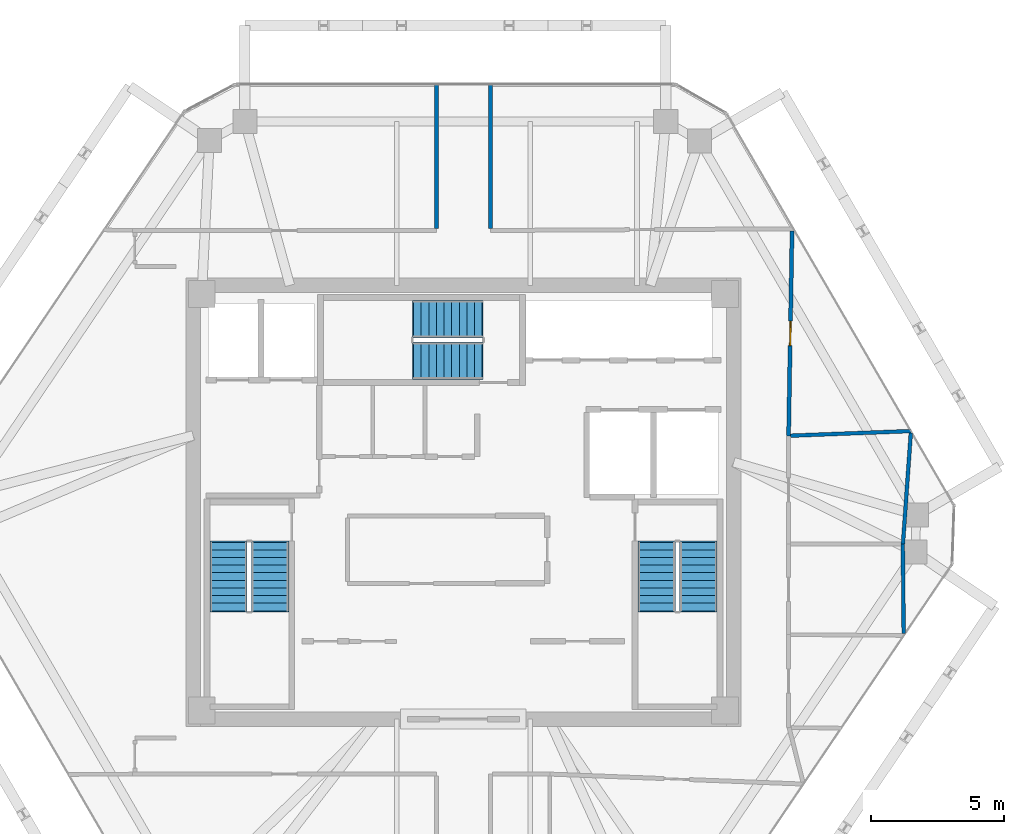
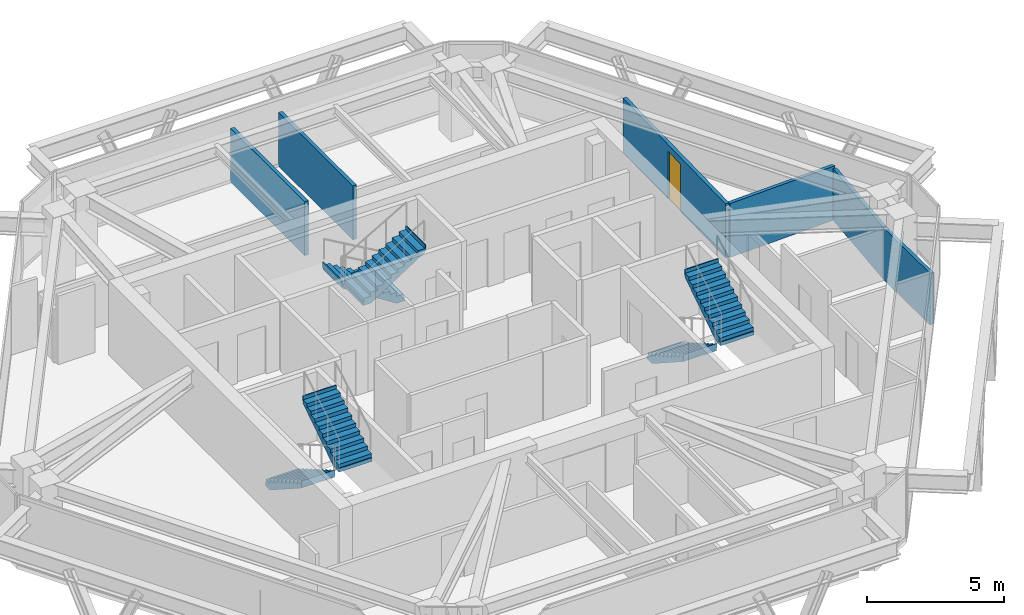
# One storey, part 10 of 11: 6 stair flights, 6 walls, 1 door, 1 opening, 3 elements without a shape of their own.
"""IFC4 building model written with IfcOpenShell, lengths in metres."""

from ifc_helpers import new_model, si_unit, direction, frame, frame_2d, origin, place, context, subcontext, project, spatial, polyline, rectangle, outline, extrude, source, transform, mapped, material, layer, layer_set, type_object, type_shapes, element, fill, aggregate, save


model = new_model("IFC4")

# Units and contexts
model_context = context("Model", 3, precision=1e-05, world=origin(), true_north=direction((0.0, 1.0)))
body_context = subcontext(model_context, "Body", "Model", "MODEL_VIEW")
ifc_project = project(units=[si_unit("LENGTHUNIT", "METRE"), si_unit("AREAUNIT", "SQUARE_METRE"), si_unit("VOLUMEUNIT", "CUBIC_METRE"), si_unit("PLANEANGLEUNIT", "RADIAN"), si_unit("MASSUNIT", "GRAM", prefix="KILO")], contexts=[model_context])

# Site, building, storey
site_placement = place(None, origin())
site = spatial("IfcSite", under=ifc_project, at=site_placement, CompositionType="ELEMENT")
building_placement = place(site_placement, origin())
building = spatial("IfcBuilding", under=site, at=building_placement, Name="Durnholm Broadcast Tower", CompositionType="ELEMENT")
storey_placement = place(building_placement, frame((0.0, 0.0, 218.300048828125)))
storey = spatial("IfcBuildingStorey", under=building, at=storey_placement, Name="L60", CompositionType="ELEMENT", Elevation=218.300048828125)

# Walls
ifc_material_1 = material(Name="Acoustic Gypsum Stud Partition", Category="concrete")
ifc_layer_1 = layer(ifc_material_1, 0.14990234375)
ifc_layer_set_1 = layer_set([ifc_layer_1], Name="Acoustic Gypsum Stud Partition")
wall_type_1 = type_object("IfcWallType", Name="WALL-PART-150", PredefinedType="PARTITIONING", material=ifc_layer_set_1)
for number, where, z_axis, x_axis, name in (
    (1, (-1.010009765625, 15.662109375, 0.0), (0.0, 0.0, 1.0), (0.0, -1.0, 0.0), "L60 Open Plan Broadcast Workspace 2 corridor partition"),
    (2, (1.010009765625, 10.259033203125, 0.0), (0.0, 0.0, 1.0), (0.0, 1.0, 0.0), "L60 Open Plan Broadcast Workspace 3 corridor partition"),
):
    element("IfcWall", number, at=place(storey_placement, frame(where, z_axis=z_axis, x_axis=x_axis)), inside=storey, type_object=wall_type_1, Name=name, PredefinedType="PARTITIONING", context=body_context, shape_type="SweptSolid", body=[
        extrude(rectangle(XDim=5.403076171875, YDim=0.14990234375, at=frame_2d((2.70166015625, 0.0))), origin(), (0.0, 0.0, 1.0), 2.398681640625),
    ])

# Wall, opening, door
wall_1_placement = place(storey_placement, frame((12.181396484375, 2.489990234375, 0.0), z_axis=(0.0, 0.0, 1.0), x_axis=(0.016828134389, 0.999858396921, 0.0)))
wall_1 = element("IfcWall", 3, at=wall_1_placement, inside=storey, type_object=wall_type_1, Name="L60 Open Plan Broadcast Workspace 3 corridor partition", PredefinedType="PARTITIONING", context=body_context, shape_type="SweptSolid", body=[
    extrude(rectangle(XDim=7.674560546875, YDim=0.14990234375, at=frame_2d((3.83740234375, 0.0))), origin(), (0.0, 0.0, 1.0), 2.398681640625),
])
opening_placement = place(wall_1_placement, frame((3.377197265625, 0.0, 0.0)))
opening = element("IfcOpeningElement", 4, at=opening_placement, cuts=wall_1, Name="Opening DR-92L", PredefinedType="OPENING", context=body_context, shape_type="SweptSolid", body=[
    extrude(rectangle(XDim=0.919921875, YDim=2.10009765625, at=frame_2d((0.4599609375, 1.050048828125))), frame((0.0, 0.0849609375, 0.0), z_axis=(0.0, -1.0, 0.0), x_axis=(1.0, 0.0, 0.0)), (0.0, 0.0, 1.0), 0.169921875),
])
ifc_material_2 = material(Name="Oak Veneer Office Door", Category="wood")
ifc_layer_2 = layer(ifc_material_2, 0.050048828125)
ifc_layer_set_2 = layer_set([ifc_layer_2], Name="Oak Veneer Office Door")
door_type = type_object("IfcDoorType", Name="DOOR-RM-920L", OperationType="NOTDEFINED", PredefinedType="DOOR", material=ifc_layer_set_2)
shared_shape = source(origin(), body_context, "Body", "SweptSolid", [
    extrude(rectangle(XDim=0.919921875, YDim=2.10009765625, at=frame_2d((0.4599609375, 1.050048828125))), frame((0.0, 0.02490234375, 0.0), z_axis=(0.0, -1.0, 0.0), x_axis=(1.0, 0.0, 0.0)), (0.0, 0.0, 1.0), 0.050048828125),
])
type_shapes(door_type, [shared_shape])
door_placement = place(opening_placement, origin())
door = element("IfcDoor", 5, at=door_placement, inside=storey, type_object=door_type, Name="L60 Open Plan Broadcast Workspace 3 entrance door", OperationType="SINGLE_SWING_LEFT", OverallHeight=2.10009765625, OverallWidth=0.919921875, PredefinedType="DOOR", context=body_context, shape_type="MappedRepresentation", body=[
    mapped(shared_shape, transform((0.0, 0.0, 0.0), x_axis=(1.0, 0.0, 0.0), y_axis=(0.0, 1.0, 0.0), z_axis=(0.0, 0.0, 1.0), scale=1.0)),
])
fill(opening, door)

# Walls
ifc_material_3 = material(Name="Moisture-Resistant Tile Partition", Category="concrete")
ifc_layer_3 = layer(ifc_material_3, 0.139892578125)
ifc_layer_set_3 = layer_set([ifc_layer_3], Name="Moisture-Resistant Tile Partition")
wall_type_2 = type_object("IfcWallType", Name="WALL-WC-140", PredefinedType="PARTITIONING", material=ifc_layer_set_3)
wall_2_placement = place(storey_placement, frame((16.4599609375, -1.56005859375, 0.0), z_axis=(0.0, 0.0, 1.0), x_axis=(0.009604446748, -0.999953876238, 0.0)))
element("IfcWall", 6, at=wall_2_placement, inside=storey, type_object=wall_type_2, Name="L60 room dividing partition 10.19", PredefinedType="PARTITIONING", context=body_context, shape_type="SweptSolid", body=[
    extrude(rectangle(XDim=3.35546875, YDim=0.139892578125, at=frame_2d((1.677734375, 0.0))), origin(), (0.0, 0.0, 1.0), 2.30126953125),
])
wall_3_placement = place(storey_placement, frame((12.260498046875, 2.4931640625, 0.0), z_axis=(0.0, 0.0, 1.0), x_axis=(0.999256206289, 0.038562082324, 0.0)))
element("IfcWall", 7, at=wall_3_placement, inside=storey, type_object=wall_type_2, Name="L60 room dividing partition 11.19", PredefinedType="PARTITIONING", context=body_context, shape_type="SweptSolid", body=[
    extrude(rectangle(XDim=4.5078125, YDim=0.139892578125, at=frame_2d((2.25390625, 0.0))), origin(), (0.0, 0.0, 1.0), 2.398681640625),
])
wall_4_placement = place(storey_placement, frame((16.759521484375, 2.5927734375, 0.0), z_axis=(0.0, 0.0, 1.0), x_axis=(-0.07055102187, -0.997508172053, 0.0)))
element("IfcWall", 8, at=wall_4_placement, inside=storey, type_object=wall_type_2, Name="L60 room dividing partition 11.19", PredefinedType="PARTITIONING", context=body_context, shape_type="SweptSolid", body=[
    extrude(rectangle(XDim=4.162841796875, YDim=0.139892578125, at=frame_2d((2.08154296875, 0.0))), origin(), (0.0, 0.0, 1.0), 2.30126953125),
])

# Stair, stair flights
ifc_material_4 = material(Name="Concrete C50/60", Category="concrete")
stair_type = type_object("IfcStairType", Name="STAIR-DL-20R1650", PredefinedType="HALF_TURN_STAIR", material=ifc_material_4)
stair_1_placement = place(storey_placement, origin())
stair_1 = element("IfcStair", 9, at=stair_1_placement, inside=storey, type_object=stair_type, Name="L60 ST-1", PredefinedType="HALF_TURN_STAIR")
stair_flight_type = type_object("IfcStairFlightType", Name="FLIGHT-DL-20R1650", PredefinedType="STRAIGHT", material=ifc_material_4)
stair_flight_1_placement = place(storey_placement, frame((-8.800048828125, -1.5, 0.0), z_axis=(0.0, 0.0, 1.0), x_axis=(0.0, -1.0, 0.0)))
stair_flight_1 = element("IfcStairFlight", 10, at=stair_flight_1_placement, type_object=stair_flight_type, Name="ST-1 flight 1", NumberOfRisers=10, NumberOfTreads=9, PredefinedType="STRAIGHT", RiserHeight=0.165, TreadLength=0.285, context=body_context, shape_type="SweptSolid", body=[
    extrude(outline(polyline([(-0.0400390625, -0.14990234375), (-0.0400390625, 0.0), (0.0, 0.0), (0.0, 0.1650390625), (0.284912109375, 0.1650390625), (0.284912109375, 0.330078125), (0.570068359375, 0.330078125), (0.570068359375, 0.4951171875), (0.85498046875, 0.4951171875), (0.85498046875, 0.659912109375), (1.139892578125, 0.659912109375), (1.139892578125, 0.824951171875), (1.425048828125, 0.824951171875), (1.425048828125, 0.989990234375), (1.7099609375, 0.989990234375), (1.7099609375, 1.155029296875), (1.9951171875, 1.155029296875), (1.9951171875, 1.320068359375), (2.280029296875, 1.320068359375), (2.280029296875, 1.485107421875), (2.56494140625, 1.485107421875), (2.56494140625, 1.64990234375), (2.60498046875, 1.64990234375), (2.60498046875, 1.5), (2.56494140625, 1.311767578125), (0.299072265625, -0.14990234375), (-0.0400390625, -0.14990234375)])), frame((0.0, 0.699951171875, 0.0), z_axis=(0.0, -1.0, 0.0), x_axis=(1.0, 0.0, 0.0)), (0.0, 0.0, 1.0), 1.39990234375),
])
stair_flight_2_placement = place(storey_placement, frame((-7.239990234375, -4.06494140625, 1.64990234375), z_axis=(0.0, 0.0, 1.0), x_axis=(0.0, 1.0, 0.0)))
stair_flight_2 = element("IfcStairFlight", 11, at=stair_flight_2_placement, type_object=stair_flight_type, Name="ST-1 flight 2", NumberOfRisers=10, NumberOfTreads=9, PredefinedType="STRAIGHT", RiserHeight=0.165, TreadLength=0.285, context=body_context, shape_type="SweptSolid", body=[
    extrude(outline(polyline([(-0.0400390625, -0.14990234375), (-0.0400390625, 0.0), (0.0, 0.0), (0.0, 0.1650390625), (0.284912109375, 0.1650390625), (0.284912109375, 0.330078125), (0.570068359375, 0.330078125), (0.570068359375, 0.4951171875), (0.85498046875, 0.4951171875), (0.85498046875, 0.659912109375), (1.139892578125, 0.659912109375), (1.139892578125, 0.824951171875), (1.425048828125, 0.824951171875), (1.425048828125, 0.989990234375), (1.7099609375, 0.989990234375), (1.7099609375, 1.155029296875), (1.9951171875, 1.155029296875), (1.9951171875, 1.320068359375), (2.280029296875, 1.320068359375), (2.280029296875, 1.485107421875), (2.56494140625, 1.485107421875), (2.56494140625, 1.64990234375), (2.60498046875, 1.64990234375), (2.60498046875, 1.5), (2.56494140625, 1.311767578125), (0.299072265625, -0.14990234375), (-0.0400390625, -0.14990234375)])), frame((0.0, 0.699951171875, 0.0), z_axis=(0.0, -1.0, 0.0), x_axis=(1.0, 0.0, 0.0)), (0.0, 0.0, 1.0), 1.39990234375),
])
aggregate(stair_1, [stair_flight_1, stair_flight_2])

stair_2_placement = place(storey_placement, origin())
stair_2 = element("IfcStair", 12, at=stair_2_placement, inside=storey, type_object=stair_type, Name="L60 ST-2", PredefinedType="HALF_TURN_STAIR")
stair_flight_3_placement = place(storey_placement, frame((7.239990234375, -1.5, 0.0), z_axis=(0.0, 0.0, 1.0), x_axis=(0.0, -1.0, 0.0)))
stair_flight_3 = element("IfcStairFlight", 13, at=stair_flight_3_placement, type_object=stair_flight_type, Name="ST-2 flight 1", NumberOfRisers=10, NumberOfTreads=9, PredefinedType="STRAIGHT", RiserHeight=0.165, TreadLength=0.285, context=body_context, shape_type="SweptSolid", body=[
    extrude(outline(polyline([(-0.0400390625, -0.14990234375), (-0.0400390625, 0.0), (0.0, 0.0), (0.0, 0.1650390625), (0.284912109375, 0.1650390625), (0.284912109375, 0.330078125), (0.570068359375, 0.330078125), (0.570068359375, 0.4951171875), (0.85498046875, 0.4951171875), (0.85498046875, 0.659912109375), (1.139892578125, 0.659912109375), (1.139892578125, 0.824951171875), (1.425048828125, 0.824951171875), (1.425048828125, 0.989990234375), (1.7099609375, 0.989990234375), (1.7099609375, 1.155029296875), (1.9951171875, 1.155029296875), (1.9951171875, 1.320068359375), (2.280029296875, 1.320068359375), (2.280029296875, 1.485107421875), (2.56494140625, 1.485107421875), (2.56494140625, 1.64990234375), (2.60498046875, 1.64990234375), (2.60498046875, 1.5), (2.56494140625, 1.311767578125), (0.299072265625, -0.14990234375), (-0.0400390625, -0.14990234375)])), frame((0.0, 0.699951171875, 0.0), z_axis=(0.0, -1.0, 0.0), x_axis=(1.0, 0.0, 0.0)), (0.0, 0.0, 1.0), 1.39990234375),
])
stair_flight_4_placement = place(storey_placement, frame((8.800048828125, -4.06494140625, 1.64990234375), z_axis=(0.0, 0.0, 1.0), x_axis=(0.0, 1.0, 0.0)))
stair_flight_4 = element("IfcStairFlight", 14, at=stair_flight_4_placement, type_object=stair_flight_type, Name="ST-2 flight 2", NumberOfRisers=10, NumberOfTreads=9, PredefinedType="STRAIGHT", RiserHeight=0.165, TreadLength=0.285, context=body_context, shape_type="SweptSolid", body=[
    extrude(outline(polyline([(-0.0400390625, -0.14990234375), (-0.0400390625, 0.0), (0.0, 0.0), (0.0, 0.1650390625), (0.284912109375, 0.1650390625), (0.284912109375, 0.330078125), (0.570068359375, 0.330078125), (0.570068359375, 0.4951171875), (0.85498046875, 0.4951171875), (0.85498046875, 0.659912109375), (1.139892578125, 0.659912109375), (1.139892578125, 0.824951171875), (1.425048828125, 0.824951171875), (1.425048828125, 0.989990234375), (1.7099609375, 0.989990234375), (1.7099609375, 1.155029296875), (1.9951171875, 1.155029296875), (1.9951171875, 1.320068359375), (2.280029296875, 1.320068359375), (2.280029296875, 1.485107421875), (2.56494140625, 1.485107421875), (2.56494140625, 1.64990234375), (2.60498046875, 1.64990234375), (2.60498046875, 1.5), (2.56494140625, 1.311767578125), (0.299072265625, -0.14990234375), (-0.0400390625, -0.14990234375)])), frame((0.0, 0.699951171875, 0.0), z_axis=(0.0, -1.0, 0.0), x_axis=(1.0, 0.0, 0.0)), (0.0, 0.0, 1.0), 1.39990234375),
])
aggregate(stair_2, [stair_flight_3, stair_flight_4])

stair_3_placement = place(storey_placement, origin())
stair_3 = element("IfcStair", 15, at=stair_3_placement, inside=storey, type_object=stair_type, Name="L60 ST-3", PredefinedType="HALF_TURN_STAIR")
stair_flight_5_placement = place(storey_placement, frame((0.699951171875, 6.860107421875, 0.0), z_axis=(0.0, 0.0, 1.0), x_axis=(-1.0, 0.0, 0.0)))
stair_flight_5 = element("IfcStairFlight", 16, at=stair_flight_5_placement, type_object=stair_flight_type, Name="ST-3 flight 1", NumberOfRisers=10, NumberOfTreads=9, PredefinedType="STRAIGHT", RiserHeight=0.165, TreadLength=0.285, context=body_context, shape_type="SweptSolid", body=[
    extrude(outline(polyline([(-0.0400390625, -0.14990234375), (-0.0400390625, 0.0), (0.0, 0.0), (0.0, 0.1650390625), (0.284912109375, 0.1650390625), (0.284912109375, 0.330078125), (0.570068359375, 0.330078125), (0.570068359375, 0.4951171875), (0.85498046875, 0.4951171875), (0.85498046875, 0.659912109375), (1.139892578125, 0.659912109375), (1.139892578125, 0.824951171875), (1.425048828125, 0.824951171875), (1.425048828125, 0.989990234375), (1.7099609375, 0.989990234375), (1.7099609375, 1.155029296875), (1.9951171875, 1.155029296875), (1.9951171875, 1.320068359375), (2.280029296875, 1.320068359375), (2.280029296875, 1.485107421875), (2.56494140625, 1.485107421875), (2.56494140625, 1.64990234375), (2.60498046875, 1.64990234375), (2.60498046875, 1.5), (2.56494140625, 1.311767578125), (0.299072265625, -0.14990234375), (-0.0400390625, -0.14990234375)])), frame((0.0, 0.699951171875, 0.0), z_axis=(0.0, -1.0, 0.0), x_axis=(1.0, 0.0, 0.0)), (0.0, 0.0, 1.0), 1.39990234375),
])
stair_flight_6_placement = place(storey_placement, frame((-1.864990234375, 5.300048828125, 1.64990234375), z_axis=(0.0, 0.0, 1.0), x_axis=(1.0, 0.0, 0.0)))
stair_flight_6 = element("IfcStairFlight", 17, at=stair_flight_6_placement, type_object=stair_flight_type, Name="ST-3 flight 2", NumberOfRisers=10, NumberOfTreads=9, PredefinedType="STRAIGHT", RiserHeight=0.165, TreadLength=0.285, context=body_context, shape_type="SweptSolid", body=[
    extrude(outline(polyline([(-0.0400390625, -0.14990234375), (-0.0400390625, 0.0), (0.0, 0.0), (0.0, 0.1650390625), (0.284912109375, 0.1650390625), (0.284912109375, 0.330078125), (0.570068359375, 0.330078125), (0.570068359375, 0.4951171875), (0.85498046875, 0.4951171875), (0.85498046875, 0.659912109375), (1.139892578125, 0.659912109375), (1.139892578125, 0.824951171875), (1.425048828125, 0.824951171875), (1.425048828125, 0.989990234375), (1.7099609375, 0.989990234375), (1.7099609375, 1.155029296875), (1.9951171875, 1.155029296875), (1.9951171875, 1.320068359375), (2.280029296875, 1.320068359375), (2.280029296875, 1.485107421875), (2.56494140625, 1.485107421875), (2.56494140625, 1.64990234375), (2.60498046875, 1.64990234375), (2.60498046875, 1.5), (2.56494140625, 1.311767578125), (0.299072265625, -0.14990234375), (-0.0400390625, -0.14990234375)])), frame((0.0, 0.699951171875, 0.0), z_axis=(0.0, -1.0, 0.0), x_axis=(1.0, 0.0, 0.0)), (0.0, 0.0, 1.0), 1.39990234375),
])
aggregate(stair_3, [stair_flight_5, stair_flight_6])

save(model, "model.ifc")
